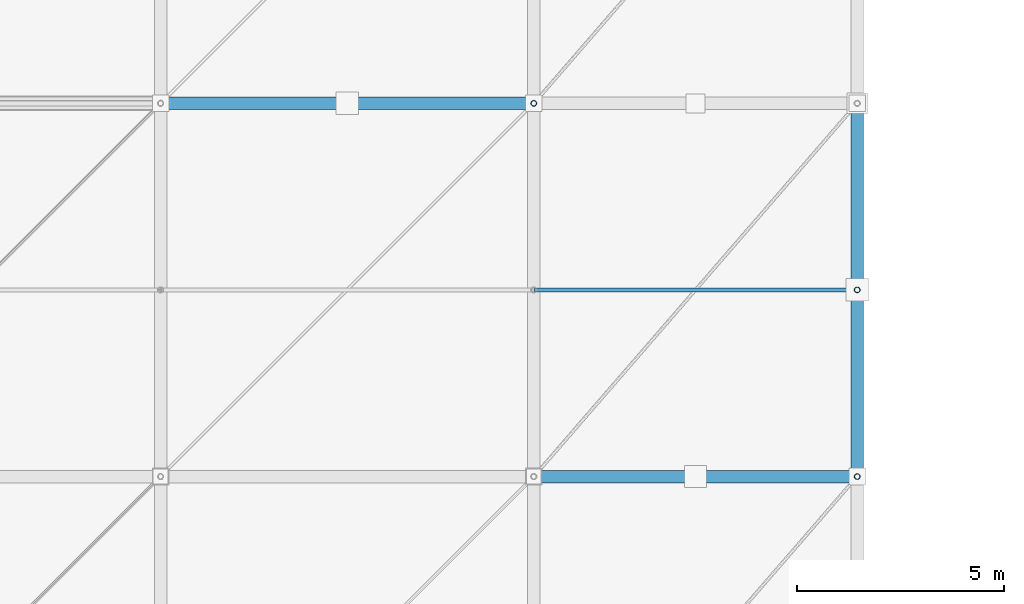
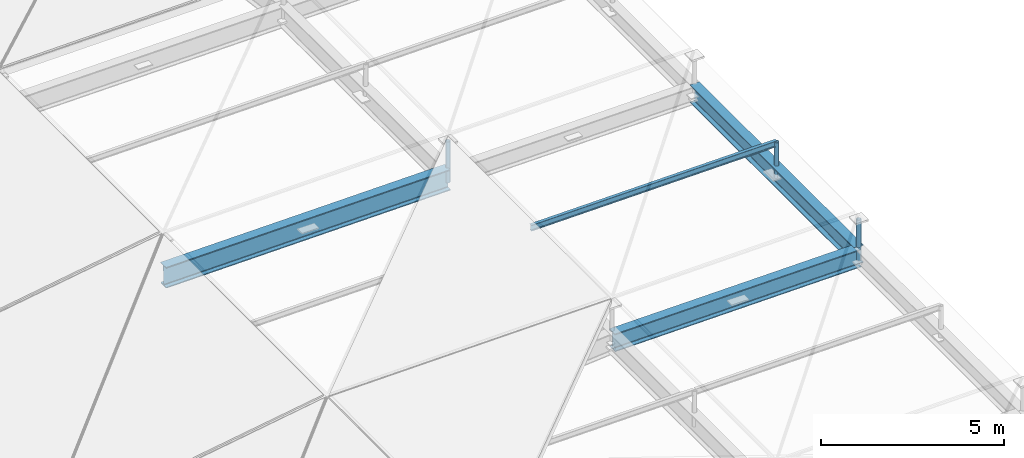
# One storey, part 54 of 80: 4 members, 3 beams.
"""IFC4 building model written with IfcOpenShell, lengths in metres."""

from ifc_helpers import new_model, si_unit, direction, frame, origin, origin_2d, place, context, subcontext, project, spatial, hollow_circle, i_section, extrude, material, material_profile, profile_set, type_object, element, save


model = new_model("IFC4")

# Units and contexts
model_context = context("Model", 3, precision=1e-05, world=origin(), true_north=direction((0.0, 1.0)))
body_context = subcontext(model_context, "Body", "Model", "MODEL_VIEW")
ifc_project = project(units=[si_unit("LENGTHUNIT", "METRE"), si_unit("AREAUNIT", "SQUARE_METRE"), si_unit("VOLUMEUNIT", "CUBIC_METRE"), si_unit("PLANEANGLEUNIT", "RADIAN"), si_unit("MASSUNIT", "GRAM", prefix="KILO")], contexts=[model_context])

# Site, building, storey
site_placement = place(None, origin())
site = spatial("IfcSite", under=ifc_project, at=site_placement, CompositionType="ELEMENT")
building_placement = place(site_placement, origin())
building = spatial("IfcBuilding", under=site, at=building_placement, Name="Barlavento Convention Centre", CompositionType="ELEMENT")
storey_placement = place(building_placement, frame((0.0, 0.0, 29.800048828125)))
storey = spatial("IfcBuildingStorey", under=building, at=storey_placement, Name="RF", CompositionType="ELEMENT", Elevation=29.800048828125)

# Beams
ifc_material_1 = material(Name="Steel S355", Category="steel")
ifc_material_profile_1 = material_profile(ifc_material_1, i_section(OverallWidth=0.300048828125, OverallDepth=0.60009765625, WebThickness=0.015380859375, FlangeThickness=0.030029296875, FilletRadius=0.027099609375, at=origin_2d()), Name="HEB 600")
ifc_profile_set_1 = profile_set([ifc_material_profile_1], Name="Steel S355")
beam_type_1 = type_object("IfcBeamType", Name="STR-BM-CANT-HEB600", PredefinedType="BEAM", material=ifc_profile_set_1)
beam_1_placement = place(storey_placement, frame((63.0048828125, 9.0, 0.286865234375), z_axis=(0.999894739787, 0.0, 0.014508940219), x_axis=(0.0, 1.0, 0.0)))
element("IfcBeam", 1, at=beam_1_placement, inside=storey, type_object=beam_type_1, Name="Congress roof truss space frame chord", PredefinedType="BEAM", context=body_context, shape_type="SweptSolid", body=[
    extrude(i_section(OverallWidth=0.300048828125, OverallDepth=0.60009765625, WebThickness=0.015380859375, FlangeThickness=0.030029296875, FilletRadius=0.027099609375, at=origin_2d()), origin(), (0.0, 0.0, 1.0), 7.790771484375),
])
beam_2_placement = place(storey_placement, frame((70.800048828125, 9.0048828125, 0.39990234375), z_axis=(0.0, 1.0, 0.0), x_axis=(-1.0, 0.0, 0.0)))
element("IfcBeam", 2, at=beam_2_placement, inside=storey, type_object=beam_type_1, Name="Congress roof truss space frame chord", PredefinedType="BEAM", context=body_context, shape_type="SweptSolid", body=[
    extrude(i_section(OverallWidth=0.300048828125, OverallDepth=0.60009765625, WebThickness=0.015380859375, FlangeThickness=0.030029296875, FilletRadius=0.027099609375, at=origin_2d()), origin(), (0.0, 0.0, 1.0), 8.990234375),
])
ifc_material_2 = material(Name="Steel S460", Category="steel")
ifc_material_profile_2 = material_profile(ifc_material_2, i_section(OverallWidth=0.300048828125, OverallDepth=0.699951171875, WebThickness=0.01708984375, FlangeThickness=0.031982421875, FilletRadius=0.027099609375, at=origin_2d()), Name="HEB 700")
ifc_profile_set_2 = profile_set([ifc_material_profile_2], Name="Steel S460")
beam_type_2 = type_object("IfcBeamType", Name="STR-BM-TRUSS-TOP-HEB700", PredefinedType="BEAM", material=ifc_profile_set_2)
beam_3_placement = place(storey_placement, frame((54.0048828125, 18.0, 0.15625), z_axis=(0.999894477056, 0.0, 0.014527035228), x_axis=(0.0, 1.0, 0.0)))
element("IfcBeam", 3, at=beam_3_placement, inside=storey, type_object=beam_type_2, Name="Congress roof truss space frame chord", PredefinedType="BEAM", context=body_context, shape_type="SweptSolid", body=[
    extrude(i_section(OverallWidth=0.300048828125, OverallDepth=0.699951171875, WebThickness=0.01708984375, FlangeThickness=0.031982421875, FilletRadius=0.027099609375, at=origin_2d()), origin(), (0.0, 0.0, 1.0), 8.9912109375),
])

# Members
ifc_material_profile_3 = material_profile(ifc_material_1, hollow_circle(Radius=0.06982421875, WallThickness=0.008056640625, at=origin_2d()), Name="CHS 139.7x8.0")
ifc_profile_set_3 = profile_set([ifc_material_profile_3], Name="Steel S355")
member_type_1 = type_object("IfcMemberType", Name="STR-MEM-DIAG-CHS139", PredefinedType="BRACE", material=ifc_profile_set_3)
for number, where, z_axis, x_axis, name in (
    (4, (63.0, 18.0, 0.136962890625), (0.0, 0.0, 1.0), (1.0, 0.0, 0.0), "Congress space frame vertical node post TD04"),
    (5, (70.800048828125, 9.0, 0.25), (0.0, 0.0, 1.0), (1.0, 0.0, 0.0), "Congress space frame vertical node post TD04"),
):
    element("IfcMember", number, at=place(storey_placement, frame(where, z_axis=z_axis, x_axis=x_axis)), inside=storey, type_object=member_type_1, Name=name, PredefinedType="BRACE", context=body_context, shape_type="SweptSolid", body=[
        extrude(hollow_circle(Radius=0.06982421875, WallThickness=0.008056640625, at=origin_2d()), origin(), (0.0, 0.0, 1.0), 1.369873046875),
    ])
member_1_placement = place(storey_placement, frame((70.800048828125, 13.5, 0.280029296875), z_axis=(0.0, 0.0, 1.0), x_axis=(1.0, 0.0, 0.0)))
element("IfcMember", 6, at=member_1_placement, inside=storey, type_object=member_type_1, Name="Congress space frame vertical node post TD04", PredefinedType="BRACE", context=body_context, shape_type="SweptSolid", body=[
    extrude(hollow_circle(Radius=0.06982421875, WallThickness=0.008056640625, at=origin_2d()), origin(), (0.0, 0.0, 1.0), 1.196533203125),
])
ifc_material_profile_4 = material_profile(ifc_material_1, i_section(OverallWidth=0.10009765625, OverallDepth=0.199951171875, WebThickness=0.005615234375, FlangeThickness=0.008544921875, FilletRadius=0.011962890625, at=origin_2d()), Name="IPE 200")
ifc_profile_set_4 = profile_set([ifc_material_profile_4], Name="Steel S355")
member_type_2 = type_object("IfcMemberType", Name="STR-MEM-PUR-IPE200", PredefinedType="PURLIN", material=ifc_profile_set_4)
member_2_placement = place(storey_placement, frame((63.02001953125, 13.5, 1.32421875), z_axis=(0.999894837982, 0.0, 0.014502171474), x_axis=(0.0, 1.0, 0.0)))
element("IfcMember", 7, at=member_2_placement, inside=storey, type_object=member_type_2, Name="Congress roof intermediate purlin PR01", PredefinedType="PURLIN", context=body_context, shape_type="SweptSolid", body=[
    extrude(i_section(OverallWidth=0.10009765625, OverallDepth=0.199951171875, WebThickness=0.005615234375, FlangeThickness=0.008544921875, FilletRadius=0.011962890625, at=origin_2d()), origin(), (0.0, 0.0, 1.0), 7.7607421875),
])

save(model, "model.ifc")
